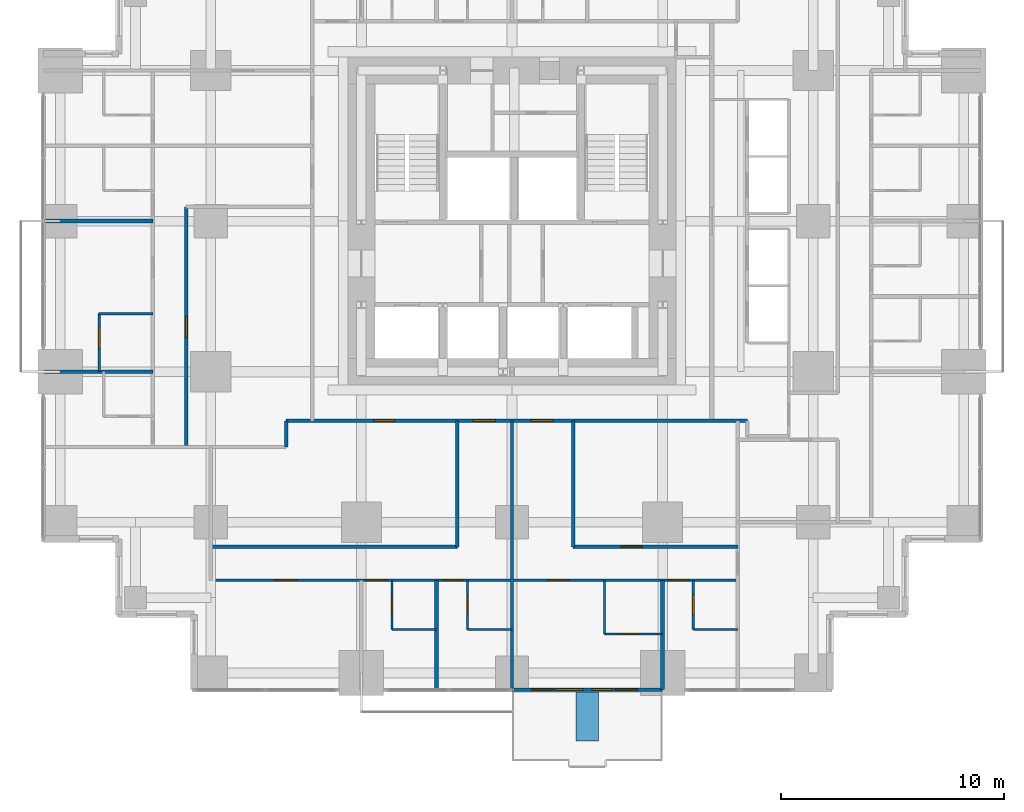
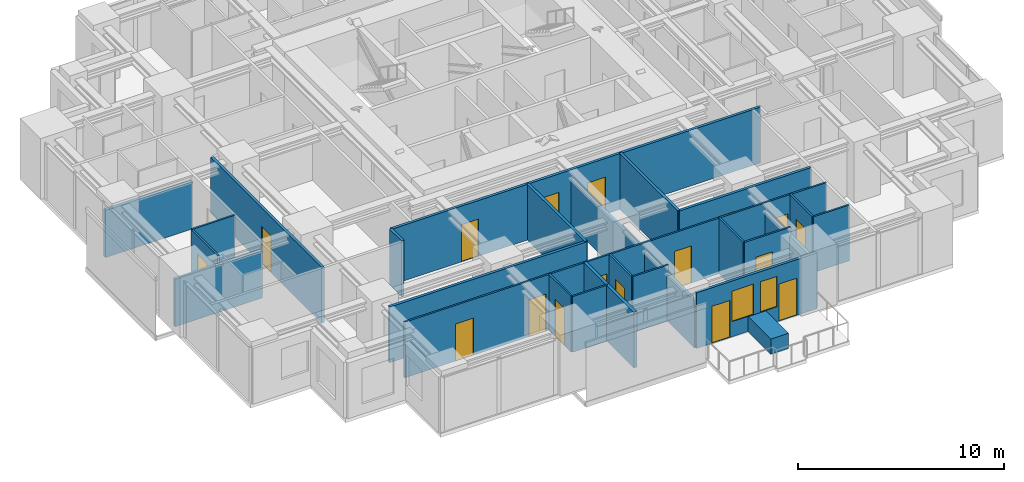
# One storey, part 7 of 12: 25 walls, 17 doors, 2 windows, 19 openings.
"""IFC4 building model written with IfcOpenShell, lengths in metres."""

from ifc_helpers import new_model, si_unit, direction, frame, frame_2d, origin, place, context, subcontext, project, spatial, rectangle, extrude, material, layer, layer_set, type_object, element, fill, save


model = new_model("IFC4")

# Units and contexts
model_context = context("Model", 3, precision=1e-05, world=origin(), true_north=direction((0.0, 1.0)))
body_context = subcontext(model_context, "Body", "Model", "MODEL_VIEW")
ifc_project = project(units=[si_unit("LENGTHUNIT", "METRE"), si_unit("AREAUNIT", "SQUARE_METRE"), si_unit("VOLUMEUNIT", "CUBIC_METRE"), si_unit("PLANEANGLEUNIT", "RADIAN"), si_unit("MASSUNIT", "GRAM", prefix="KILO")], contexts=[model_context])

# Site, building, storey
site_placement = place(None, origin())
site = spatial("IfcSite", under=ifc_project, at=site_placement, CompositionType="ELEMENT")
building_placement = place(site_placement, origin())
building = spatial("IfcBuilding", under=site, at=building_placement, Name="Nyansa Garden Tower", CompositionType="ELEMENT")
storey_placement = place(building_placement, frame((0.0, 0.0, 134.10009765625)))
storey = spatial("IfcBuildingStorey", under=building, at=storey_placement, Name="L36", CompositionType="ELEMENT", Elevation=134.10009765625)

# Walls
ifc_material_1 = material(Name="Dense blockwork, plastered both sides, 55 dB", Category="masonry")
ifc_layer_1 = layer(ifc_material_1, 0.175048828125)
ifc_layer_set_1 = layer_set([ifc_layer_1], Name="Acoustic party wall PW175")
wall_type_1 = type_object("IfcWallType", Name="Acoustic party wall PW175", PredefinedType="PARTITIONING", material=ifc_layer_set_1)
for number, where, z_axis, x_axis, name in (
    (1, (-0.73388671875, 13.5, 0.0), (0.0, 0.0, 1.0), (1.0, 0.0, 0.0), "Party wall"),
    (2, (-0.73388671875, 20.25, 0.0), (0.0, 0.0, 1.0), (1.0, 0.0, 0.0), "Party wall"),
):
    element("IfcWall", number, at=place(storey_placement, frame(where, z_axis=z_axis, x_axis=x_axis)), inside=storey, type_object=wall_type_1, Name=name, PredefinedType="PARTITIONING", context=body_context, shape_type="SweptSolid", body=[
        extrude(rectangle(XDim=4.8837890625, YDim=0.175048828125, at=frame_2d((2.44189453125, 0.0))), origin(), (0.0, 0.0, 1.0), 2.802001953125),
    ])
wall_1_placement = place(storey_placement, frame((16.875, -0.73388671875, 0.0), z_axis=(0.0, 0.0, 1.0), x_axis=(0.0, 1.0, 0.0)))
element("IfcWall", 3, at=wall_1_placement, inside=storey, type_object=wall_type_1, Name="Party wall", PredefinedType="PARTITIONING", context=body_context, shape_type="SweptSolid", body=[
    extrude(rectangle(XDim=4.8837890625, YDim=0.175048828125, at=frame_2d((2.44189453125, 0.0))), origin(), (0.0, 0.0, 1.0), 3.2998046875),
])
wall_2_placement = place(storey_placement, frame((27.0, -0.73388671875, 0.0), z_axis=(0.0, 0.0, 1.0), x_axis=(0.0, 1.0, 0.0)))
element("IfcWall", 4, at=wall_2_placement, inside=storey, type_object=wall_type_1, Name="Party wall", PredefinedType="PARTITIONING", context=body_context, shape_type="SweptSolid", body=[
    extrude(rectangle(XDim=4.8837890625, YDim=0.175048828125, at=frame_2d((2.44189453125, 0.0))), origin(), (0.0, 0.0, 1.0), 2.802001953125),
])

# Wall, openings, doors, windows
ifc_material_2 = material(Name="Black aluminium framed glazed screen", Category="aluminium")
ifc_layer_2 = layer(ifc_material_2, 0.14990234375)
ifc_layer_set_2 = layer_set([ifc_layer_2], Name="Balcony screen wall BW150")
wall_type_2 = type_object("IfcWallType", Name="Balcony screen wall BW150", PredefinedType="SOLIDWALL", material=ifc_layer_set_2)
wall_3_placement = place(storey_placement, frame((27.0, -0.75, 0.0), z_axis=(0.0, 0.0, 1.0), x_axis=(-1.0, 0.0, 0.0)))
wall_3 = element("IfcWall", 5, at=wall_3_placement, inside=storey, type_object=wall_type_2, Name="Glazed screen wall L36 S", PredefinedType="SOLIDWALL", context=body_context, shape_type="SweptSolid", body=[
    extrude(rectangle(XDim=6.75, YDim=0.14990234375, at=frame_2d((3.375, 0.0))), origin(), (0.0, 0.0, 1.0), 3.2998046875),
])
opening_1_placement = place(wall_3_placement, frame((1.129150390625, 0.0, 0.0)))
opening_1 = element("IfcOpeningElement", 6, at=opening_1_placement, cuts=wall_3, Name="Opening D20", PredefinedType="OPENING", context=body_context, shape_type="SweptSolid", body=[
    extrude(rectangle(XDim=1.0, YDim=2.199951171875, at=frame_2d((0.5, 1.10009765625))), frame((0.0, 0.0849609375, 0.0), z_axis=(0.0, -1.0, 0.0), x_axis=(1.0, 0.0, 0.0)), (0.0, 0.0, 1.0), 0.169921875),
])
opening_2_placement = place(wall_3_placement, frame((2.25830078125, 0.0, 0.89990234375)))
opening_2 = element("IfcOpeningElement", 7, at=opening_2_placement, cuts=wall_3, Name="Opening W7", PredefinedType="OPENING", context=body_context, shape_type="SweptSolid", body=[
    extrude(rectangle(XDim=0.89990234375, YDim=1.800048828125, at=frame_2d((0.449951171875, 0.89990234375))), frame((0.0, 0.0849609375, 0.0), z_axis=(0.0, -1.0, 0.0), x_axis=(1.0, 0.0, 0.0)), (0.0, 0.0, 1.0), 0.169921875),
])
opening_3_placement = place(wall_3_placement, frame((4.887451171875, 0.0, 0.0)))
opening_3 = element("IfcOpeningElement", 8, at=opening_3_placement, cuts=wall_3, Name="Opening D20", PredefinedType="OPENING", context=body_context, shape_type="SweptSolid", body=[
    extrude(rectangle(XDim=1.0, YDim=2.199951171875, at=frame_2d((0.5, 1.10009765625))), frame((0.0, 0.0849609375, 0.0), z_axis=(0.0, -1.0, 0.0), x_axis=(1.0, 0.0, 0.0)), (0.0, 0.0, 1.0), 0.169921875),
])
opening_4_placement = place(wall_3_placement, frame((3.574951171875, 0.0, 0.89990234375)))
opening_4 = element("IfcOpeningElement", 9, at=opening_4_placement, cuts=wall_3, Name="Opening W6", PredefinedType="OPENING", context=body_context, shape_type="SweptSolid", body=[
    extrude(rectangle(XDim=1.199951171875, YDim=1.800048828125, at=frame_2d((0.60009765625, 0.89990234375))), frame((0.0, 0.0849609375, 0.0), z_axis=(0.0, -1.0, 0.0), x_axis=(1.0, 0.0, 0.0)), (0.0, 0.0, 1.0), 0.169921875),
])
ifc_material_3 = material(Name="Black aluminium framed glazed door", Category="aluminium")
door_type_1 = type_object("IfcDoorType", Name="Balcony door D20 1000x2200", OperationType="NOTDEFINED", PredefinedType="DOOR", material=ifc_material_3)
door_1_placement = place(opening_1_placement, origin())
door_1 = element("IfcDoor", 10, at=door_1_placement, inside=storey, type_object=door_type_1, Name="Balcony door L36", OperationType="SINGLE_SWING_LEFT", OverallHeight=2.199951171875, OverallWidth=1.0, PredefinedType="DOOR", context=body_context, shape_type="SweptSolid", body=[
    extrude(rectangle(XDim=1.0, YDim=2.199951171875, at=frame_2d((0.5, 1.10009765625))), frame((0.0, 0.02490234375, 0.0), z_axis=(0.0, -1.0, 0.0), x_axis=(1.0, 0.0, 0.0)), (0.0, 0.0, 1.0), 0.050048828125),
])
fill(opening_1, door_1)
door_2_placement = place(opening_3_placement, origin())
door_2 = element("IfcDoor", 11, at=door_2_placement, inside=storey, type_object=door_type_1, Name="Balcony door L36", OperationType="SINGLE_SWING_RIGHT", OverallHeight=2.199951171875, OverallWidth=1.0, PredefinedType="DOOR", context=body_context, shape_type="SweptSolid", body=[
    extrude(rectangle(XDim=1.0, YDim=2.199951171875, at=frame_2d((0.5, 1.10009765625))), frame((0.0, 0.02490234375, 0.0), z_axis=(0.0, -1.0, 0.0), x_axis=(1.0, 0.0, 0.0)), (0.0, 0.0, 1.0), 0.050048828125),
])
fill(opening_3, door_2)
ifc_material_4 = material(Name="Black aluminium frame, dark tinted double glazing", Category="aluminium")
window_type_1 = type_object("IfcWindowType", Name="Balcony window W6 1200x1800", PartitioningType="SINGLE_PANEL", PredefinedType="WINDOW", material=ifc_material_4)
window_1_placement = place(opening_4_placement, origin())
window_1 = element("IfcWindow", 12, at=window_1_placement, inside=storey, type_object=window_type_1, Name="Window L36", OverallHeight=1.800048828125, OverallWidth=1.199951171875, PartitioningType="SINGLE_PANEL", PredefinedType="WINDOW", context=body_context, shape_type="SweptSolid", body=[
    extrude(rectangle(XDim=1.199951171875, YDim=1.800048828125, at=frame_2d((0.60009765625, 0.89990234375))), frame((0.0, 0.030029296875, 0.0), z_axis=(0.0, -1.0, 0.0), x_axis=(1.0, 0.0, 0.0)), (0.0, 0.0, 1.0), 0.06005859375),
])
fill(opening_4, window_1)
ifc_material_5 = material(Name="Black aluminium frame, dark tinted double glazing", Category="aluminium")
window_type_2 = type_object("IfcWindowType", Name="Balcony window W7 900x1800", PartitioningType="SINGLE_PANEL", PredefinedType="WINDOW", material=ifc_material_5)
window_2_placement = place(opening_2_placement, origin())
window_2 = element("IfcWindow", 13, at=window_2_placement, inside=storey, type_object=window_type_2, Name="Window L36", OverallHeight=1.800048828125, OverallWidth=0.89990234375, PartitioningType="SINGLE_PANEL", PredefinedType="WINDOW", context=body_context, shape_type="SweptSolid", body=[
    extrude(rectangle(XDim=0.89990234375, YDim=1.800048828125, at=frame_2d((0.449951171875, 0.89990234375))), frame((0.0, 0.030029296875, 0.0), z_axis=(0.0, -1.0, 0.0), x_axis=(1.0, 0.0, 0.0)), (0.0, 0.0, 1.0), 0.06005859375),
])
fill(opening_2, window_2)

# Wall, opening, door
ifc_material_6 = material(Name="Blockwork, plastered both sides", Category="masonry")
ifc_layer_3 = layer(ifc_material_6, 0.14990234375)
ifc_layer_set_3 = layer_set([ifc_layer_3], Name="Partition PW150")
wall_type_3 = type_object("IfcWallType", Name="Partition PW150", PredefinedType="PARTITIONING", material=ifc_layer_set_3)
wall_4_placement = place(storey_placement, frame((5.64990234375, 10.125, 0.0), z_axis=(0.0, 0.0, 1.0), x_axis=(0.0, 1.0, 0.0)))
wall_4 = element("IfcWall", 14, at=wall_4_placement, inside=storey, type_object=wall_type_3, Name="Partition", PredefinedType="PARTITIONING", context=body_context, shape_type="SweptSolid", body=[
    extrude(rectangle(XDim=10.762451171875, YDim=0.14990234375, at=frame_2d((5.38134765625, 0.0))), origin(), (0.0, 0.0, 1.0), 3.2998046875),
])
opening_5_placement = place(wall_4_placement, frame((4.89990234375, 0.0, 0.0)))
opening_5 = element("IfcOpeningElement", 15, at=opening_5_placement, cuts=wall_4, Name="Opening D01", PredefinedType="OPENING", context=body_context, shape_type="SweptSolid", body=[
    extrude(rectangle(XDim=0.949951171875, YDim=2.199951171875, at=frame_2d((0.47509765625, 1.10009765625))), frame((0.0, 0.0849609375, 0.0), z_axis=(0.0, -1.0, 0.0), x_axis=(1.0, 0.0, 0.0)), (0.0, 0.0, 1.0), 0.169921875),
])
ifc_material_7 = material(Name="Timber flush door, 30 minute fire resisting", Category="wood")
door_type_2 = type_object("IfcDoorType", Name="Bedroom door D01 950x2200", OperationType="SINGLE_SWING_LEFT", PredefinedType="DOOR", material=ifc_material_7)
door_3_placement = place(opening_5_placement, origin())
door_3 = element("IfcDoor", 16, at=door_3_placement, inside=storey, type_object=door_type_2, Name="Door L36-065", OperationType="SINGLE_SWING_LEFT", OverallHeight=2.199951171875, OverallWidth=0.949951171875, PredefinedType="DOOR", context=body_context, shape_type="SweptSolid", body=[
    extrude(rectangle(XDim=0.949951171875, YDim=2.199951171875, at=frame_2d((0.47509765625, 1.10009765625))), frame((0.0, 0.02490234375, 0.0), z_axis=(0.0, -1.0, 0.0), x_axis=(1.0, 0.0, 0.0)), (0.0, 0.0, 1.0), 0.050048828125),
])
fill(opening_5, door_3)

# Walls
wall_5_placement = place(storey_placement, frame((6.75, 5.64990234375, 0.0), z_axis=(0.0, 0.0, 1.0), x_axis=(1.0, 0.0, 0.0)))
element("IfcWall", 17, at=wall_5_placement, inside=storey, type_object=wall_type_3, Name="Partition", PredefinedType="PARTITIONING", context=body_context, shape_type="SweptSolid", body=[
    extrude(rectangle(XDim=11.050048828125, YDim=0.14990234375, at=frame_2d((5.52490234375, 0.0))), origin(), (0.0, 0.0, 1.0), 3.2998046875),
])
wall_6_placement = place(storey_placement, frame((10.125, 10.125, 0.0), z_axis=(0.0, 0.0, 1.0), x_axis=(0.0, 1.0, 0.0)))
element("IfcWall", 18, at=wall_6_placement, inside=storey, type_object=wall_type_3, Name="Partition", PredefinedType="PARTITIONING", context=body_context, shape_type="SweptSolid", body=[
    extrude(rectangle(XDim=1.175048828125, YDim=0.14990234375, at=frame_2d((0.58740234375, 0.0))), origin(), (0.0, 0.0, 1.0), 3.2998046875),
])

# Wall, openings, doors
wall_7_placement = place(storey_placement, frame((10.125, 11.300048828125, 0.0), z_axis=(0.0, 0.0, 1.0), x_axis=(1.0, 0.0, 0.0)))
wall_7 = element("IfcWall", 19, at=wall_7_placement, inside=storey, type_object=wall_type_3, Name="Partition", PredefinedType="PARTITIONING", context=body_context, shape_type="SweptSolid", body=[
    extrude(rectangle(XDim=20.675048828125, YDim=0.14990234375, at=frame_2d((10.33740234375, 0.0))), origin(), (0.0, 0.0, 1.0), 3.2998046875),
])
opening_6_placement = place(wall_7_placement, frame((8.375, 0.0, 0.0)))
opening_6 = element("IfcOpeningElement", 20, at=opening_6_placement, cuts=wall_7, Name="Opening D03", PredefinedType="OPENING", context=body_context, shape_type="SweptSolid", body=[
    extrude(rectangle(XDim=1.0, YDim=2.199951171875, at=frame_2d((0.5, 1.10009765625))), frame((0.0, 0.0849609375, 0.0), z_axis=(0.0, -1.0, 0.0), x_axis=(1.0, 0.0, 0.0)), (0.0, 0.0, 1.0), 0.169921875),
])
opening_7_placement = place(wall_7_placement, frame((10.97509765625, 0.0, 0.0)))
opening_7 = element("IfcOpeningElement", 21, at=opening_7_placement, cuts=wall_7, Name="Opening D03", PredefinedType="OPENING", context=body_context, shape_type="SweptSolid", body=[
    extrude(rectangle(XDim=1.0, YDim=2.199951171875, at=frame_2d((0.5, 1.10009765625))), frame((0.0, 0.0849609375, 0.0), z_axis=(0.0, -1.0, 0.0), x_axis=(1.0, 0.0, 0.0)), (0.0, 0.0, 1.0), 0.169921875),
])
opening_8_placement = place(wall_7_placement, frame((3.925048828125, 0.0, 0.0)))
opening_8 = element("IfcOpeningElement", 22, at=opening_8_placement, cuts=wall_7, Name="Opening D01", PredefinedType="OPENING", context=body_context, shape_type="SweptSolid", body=[
    extrude(rectangle(XDim=0.949951171875, YDim=2.199951171875, at=frame_2d((0.47509765625, 1.10009765625))), frame((0.0, 0.0849609375, 0.0), z_axis=(0.0, -1.0, 0.0), x_axis=(1.0, 0.0, 0.0)), (0.0, 0.0, 1.0), 0.169921875),
])
door_4_placement = place(opening_8_placement, origin())
door_4 = element("IfcDoor", 23, at=door_4_placement, inside=storey, type_object=door_type_2, Name="Door L36-030", OperationType="SINGLE_SWING_LEFT", OverallHeight=2.199951171875, OverallWidth=0.949951171875, PredefinedType="DOOR", context=body_context, shape_type="SweptSolid", body=[
    extrude(rectangle(XDim=0.949951171875, YDim=2.199951171875, at=frame_2d((0.47509765625, 1.10009765625))), frame((0.0, 0.02490234375, 0.0), z_axis=(0.0, -1.0, 0.0), x_axis=(1.0, 0.0, 0.0)), (0.0, 0.0, 1.0), 0.050048828125),
])
fill(opening_8, door_4)
ifc_material_8 = material(Name="Timber flush door, 60 minute fire resisting", Category="wood")
door_type_3 = type_object("IfcDoorType", Name="Cluster entrance door D03 1000x2200", OperationType="SINGLE_SWING_LEFT", PredefinedType="DOOR", material=ifc_material_8)
door_5_placement = place(opening_6_placement, origin())
door_5 = element("IfcDoor", 24, at=door_5_placement, inside=storey, type_object=door_type_3, Name="Door L36-024", OperationType="SINGLE_SWING_LEFT", OverallHeight=2.199951171875, OverallWidth=1.0, PredefinedType="DOOR", context=body_context, shape_type="SweptSolid", body=[
    extrude(rectangle(XDim=1.0, YDim=2.199951171875, at=frame_2d((0.5, 1.10009765625))), frame((0.0, 0.02490234375, 0.0), z_axis=(0.0, -1.0, 0.0), x_axis=(1.0, 0.0, 0.0)), (0.0, 0.0, 1.0), 0.050048828125),
])
fill(opening_6, door_5)
door_6_placement = place(opening_7_placement, origin())
door_6 = element("IfcDoor", 25, at=door_6_placement, inside=storey, type_object=door_type_3, Name="Door L36-029", OperationType="SINGLE_SWING_LEFT", OverallHeight=2.199951171875, OverallWidth=1.0, PredefinedType="DOOR", context=body_context, shape_type="SweptSolid", body=[
    extrude(rectangle(XDim=1.0, YDim=2.199951171875, at=frame_2d((0.5, 1.10009765625))), frame((0.0, 0.02490234375, 0.0), z_axis=(0.0, -1.0, 0.0), x_axis=(1.0, 0.0, 0.0)), (0.0, 0.0, 1.0), 0.050048828125),
])
fill(opening_7, door_6)

# Walls
wall_8_placement = place(storey_placement, frame((17.800048828125, 5.64990234375, 0.0), z_axis=(0.0, 0.0, 1.0), x_axis=(0.0, 1.0, 0.0)))
element("IfcWall", 26, at=wall_8_placement, inside=storey, type_object=wall_type_3, Name="Partition", PredefinedType="PARTITIONING", context=body_context, shape_type="SweptSolid", body=[
    extrude(rectangle(XDim=5.650146484375, YDim=0.14990234375, at=frame_2d((2.8251953125, 0.0))), origin(), (0.0, 0.0, 1.0), 3.2998046875),
])
wall_9_placement = place(storey_placement, frame((20.25, -0.73388671875, 0.0), z_axis=(0.0, 0.0, 1.0), x_axis=(0.0, 1.0, 0.0)))
element("IfcWall", 27, at=wall_9_placement, inside=storey, type_object=wall_type_3, Name="Partition", PredefinedType="PARTITIONING", context=body_context, shape_type="SweptSolid", body=[
    extrude(rectangle(XDim=12.033935546875, YDim=0.14990234375, at=frame_2d((6.01708984375, 0.0))), origin(), (0.0, 0.0, 1.0), 2.802001953125),
])

# Wall, opening, door
wall_10_placement = place(storey_placement, frame((22.987548828125, 5.64990234375, 0.0), z_axis=(0.0, 0.0, 1.0), x_axis=(1.0, 0.0, 0.0)))
wall_10 = element("IfcWall", 28, at=wall_10_placement, inside=storey, type_object=wall_type_3, Name="Partition", PredefinedType="PARTITIONING", context=body_context, shape_type="SweptSolid", body=[
    extrude(rectangle(XDim=7.387451171875, YDim=0.14990234375, at=frame_2d((3.69384765625, 0.0))), origin(), (0.0, 0.0, 1.0), 3.2998046875),
])
opening_9_placement = place(wall_10_placement, frame((2.14990234375, 0.0, 0.0)))
opening_9 = element("IfcOpeningElement", 29, at=opening_9_placement, cuts=wall_10, Name="Opening D01", PredefinedType="OPENING", context=body_context, shape_type="SweptSolid", body=[
    extrude(rectangle(XDim=0.949951171875, YDim=2.199951171875, at=frame_2d((0.47509765625, 1.10009765625))), frame((0.0, 0.0849609375, 0.0), z_axis=(0.0, -1.0, 0.0), x_axis=(1.0, 0.0, 0.0)), (0.0, 0.0, 1.0), 0.169921875),
])
door_7_placement = place(opening_9_placement, origin())
door_7 = element("IfcDoor", 30, at=door_7_placement, inside=storey, type_object=door_type_2, Name="Door L36-031", OperationType="SINGLE_SWING_LEFT", OverallHeight=2.199951171875, OverallWidth=0.949951171875, PredefinedType="DOOR", context=body_context, shape_type="SweptSolid", body=[
    extrude(rectangle(XDim=0.949951171875, YDim=2.199951171875, at=frame_2d((0.47509765625, 1.10009765625))), frame((0.0, 0.02490234375, 0.0), z_axis=(0.0, -1.0, 0.0), x_axis=(1.0, 0.0, 0.0)), (0.0, 0.0, 1.0), 0.050048828125),
])
fill(opening_9, door_7)

# Walls
wall_11_placement = place(storey_placement, frame((22.988037109375, 5.64990234375, 0.0), z_axis=(0.0, 0.0, 1.0), x_axis=(0.0, 1.0, 0.0)))
element("IfcWall", 31, at=wall_11_placement, inside=storey, type_object=wall_type_3, Name="Partition", PredefinedType="PARTITIONING", context=body_context, shape_type="SweptSolid", body=[
    extrude(rectangle(XDim=5.650146484375, YDim=0.14990234375, at=frame_2d((2.8251953125, 0.0))), origin(), (0.0, 0.0, 1.0), 3.2998046875),
])
ifc_material_9 = material(Name="Concrete C40/50 planter, waterproofed", Category="concrete")
ifc_layer_4 = layer(ifc_material_9, 1.0)
ifc_layer_set_4 = layer_set([ifc_layer_4], Name="Tree planter TP1")
wall_type_4 = type_object("IfcWallType", Name="Tree planter TP1", PredefinedType="USERDEFINED", material=ifc_layer_set_4)
wall_12_placement = place(storey_placement, frame((23.625, -0.85009765625, 0.0), z_axis=(0.0, 0.0, 1.0), x_axis=(0.0, -1.0, 0.0)))
element("IfcWall", 32, at=wall_12_placement, inside=storey, type_object=wall_type_4, Name="Tree planter L36", ObjectType="TREE PLANTER", PredefinedType="USERDEFINED", context=body_context, shape_type="SweptSolid", body=[
    extrude(rectangle(XDim=2.199951171875, YDim=1.0, at=frame_2d((1.10009765625, 0.0))), origin(), (0.0, 0.0, 1.0), 0.89990234375),
])

# Wall, opening, door
ifc_material_10 = material(Name="Moisture resistant board on steel studs, tiled", Category="steel")
ifc_layer_5 = layer(ifc_material_10, 0.10009765625)
ifc_layer_set_5 = layer_set([ifc_layer_5], Name="Wet wall PW100")
wall_type_5 = type_object("IfcWallType", Name="Wet wall PW100", PredefinedType="PARTITIONING", material=ifc_layer_set_5)
wall_13_placement = place(storey_placement, frame((1.75, 13.5, 0.0), z_axis=(0.0, 0.0, 1.0), x_axis=(0.0, 1.0, 0.0)))
wall_13 = element("IfcWall", 33, at=wall_13_placement, inside=storey, type_object=wall_type_5, Name="Wet wall", PredefinedType="PARTITIONING", context=body_context, shape_type="SweptSolid", body=[
    extrude(rectangle(XDim=2.60009765625, YDim=0.10009765625, at=frame_2d((1.300048828125, 0.0))), origin(), (0.0, 0.0, 1.0), 3.2998046875),
])
opening_10_placement = place(wall_13_placement, frame((1.050048828125, 0.0, 0.0)))
opening_10 = element("IfcOpeningElement", 34, at=opening_10_placement, cuts=wall_13, Name="Opening D02", PredefinedType="OPENING", context=body_context, shape_type="SweptSolid", body=[
    extrude(rectangle(XDim=0.89990234375, YDim=2.199951171875, at=frame_2d((0.449951171875, 1.10009765625))), frame((0.0, 0.06005859375, 0.0), z_axis=(0.0, -1.0, 0.0), x_axis=(1.0, 0.0, 0.0)), (0.0, 0.0, 1.0), 0.1201171875),
])
ifc_material_11 = material(Name="Timber flush door", Category="wood")
door_type_4 = type_object("IfcDoorType", Name="En-suite door D02 900x2200", OperationType="SINGLE_SWING_RIGHT", PredefinedType="DOOR", material=ifc_material_11)
door_8_placement = place(opening_10_placement, origin())
door_8 = element("IfcDoor", 35, at=door_8_placement, inside=storey, type_object=door_type_4, Name="Door L36-059", OperationType="SINGLE_SWING_RIGHT", OverallHeight=2.199951171875, OverallWidth=0.89990234375, PredefinedType="DOOR", context=body_context, shape_type="SweptSolid", body=[
    extrude(rectangle(XDim=0.89990234375, YDim=2.199951171875, at=frame_2d((0.449951171875, 1.10009765625))), frame((0.0, 0.02490234375, 0.0), z_axis=(0.0, -1.0, 0.0), x_axis=(1.0, 0.0, 0.0)), (0.0, 0.0, 1.0), 0.050048828125),
])
fill(opening_10, door_8)

# Wall
wall_14_placement = place(storey_placement, frame((1.75, 16.10009765625, 0.0), z_axis=(0.0, 0.0, 1.0), x_axis=(1.0, 0.0, 0.0)))
element("IfcWall", 36, at=wall_14_placement, inside=storey, type_object=wall_type_5, Name="Wet wall", PredefinedType="PARTITIONING", context=body_context, shape_type="SweptSolid", body=[
    extrude(rectangle(XDim=2.39990234375, YDim=0.10009765625, at=frame_2d((1.199951171875, 0.0))), origin(), (0.0, 0.0, 1.0), 3.2998046875),
])

# Wall, openings, doors
wall_15_placement = place(storey_placement, frame((6.75, 4.14990234375, 0.0), z_axis=(0.0, 0.0, 1.0), x_axis=(1.0, 0.0, 0.0)))
wall_15 = element("IfcWall", 37, at=wall_15_placement, inside=storey, type_object=wall_type_5, Name="Wet wall", PredefinedType="PARTITIONING", context=body_context, shape_type="SweptSolid", body=[
    extrude(rectangle(XDim=23.625, YDim=0.10009765625, at=frame_2d((11.8125, 0.0))), origin(), (0.0, 0.0, 1.0), 3.2998046875),
])
opening_11_placement = place(wall_15_placement, frame((2.85009765625, 0.0, 0.0)))
opening_11 = element("IfcOpeningElement", 38, at=opening_11_placement, cuts=wall_15, Name="Opening D03", PredefinedType="OPENING", context=body_context, shape_type="SweptSolid", body=[
    extrude(rectangle(XDim=1.0, YDim=2.199951171875, at=frame_2d((0.5, 1.10009765625))), frame((0.0, 0.06005859375, 0.0), z_axis=(0.0, -1.0, 0.0), x_axis=(1.0, 0.0, 0.0)), (0.0, 0.0, 1.0), 0.1201171875),
])
opening_12_placement = place(wall_15_placement, frame((6.949951171875, 0.0, 0.0)))
opening_12 = element("IfcOpeningElement", 39, at=opening_12_placement, cuts=wall_15, Name="Opening D01", PredefinedType="OPENING", context=body_context, shape_type="SweptSolid", body=[
    extrude(rectangle(XDim=0.949951171875, YDim=2.199951171875, at=frame_2d((0.47509765625, 1.10009765625))), frame((0.0, 0.06005859375, 0.0), z_axis=(0.0, -1.0, 0.0), x_axis=(1.0, 0.0, 0.0)), (0.0, 0.0, 1.0), 0.1201171875),
])
opening_13_placement = place(wall_15_placement, frame((10.375, 0.0, 0.0)))
opening_13 = element("IfcOpeningElement", 40, at=opening_13_placement, cuts=wall_15, Name="Opening D01", PredefinedType="OPENING", context=body_context, shape_type="SweptSolid", body=[
    extrude(rectangle(XDim=0.949951171875, YDim=2.199951171875, at=frame_2d((0.47509765625, 1.10009765625))), frame((0.0, 0.06005859375, 0.0), z_axis=(0.0, -1.0, 0.0), x_axis=(1.0, 0.0, 0.0)), (0.0, 0.0, 1.0), 0.1201171875),
])
opening_14_placement = place(wall_15_placement, frame((15.10009765625, 0.0, 0.0)))
opening_14 = element("IfcOpeningElement", 41, at=opening_14_placement, cuts=wall_15, Name="Opening D14", PredefinedType="OPENING", context=body_context, shape_type="SweptSolid", body=[
    extrude(rectangle(XDim=0.949951171875, YDim=2.199951171875, at=frame_2d((0.47509765625, 1.10009765625))), frame((0.0, 0.06005859375, 0.0), z_axis=(0.0, -1.0, 0.0), x_axis=(1.0, 0.0, 0.0)), (0.0, 0.0, 1.0), 0.1201171875),
])
opening_15_placement = place(wall_15_placement, frame((20.5, 0.0, 0.0)))
opening_15 = element("IfcOpeningElement", 42, at=opening_15_placement, cuts=wall_15, Name="Opening D14", PredefinedType="OPENING", context=body_context, shape_type="SweptSolid", body=[
    extrude(rectangle(XDim=0.949951171875, YDim=2.199951171875, at=frame_2d((0.47509765625, 1.10009765625))), frame((0.0, 0.06005859375, 0.0), z_axis=(0.0, -1.0, 0.0), x_axis=(1.0, 0.0, 0.0)), (0.0, 0.0, 1.0), 0.1201171875),
])
door_9_placement = place(opening_12_placement, origin())
door_9 = element("IfcDoor", 43, at=door_9_placement, inside=storey, type_object=door_type_2, Name="Door L36-020", OperationType="SINGLE_SWING_LEFT", OverallHeight=2.199951171875, OverallWidth=0.949951171875, PredefinedType="DOOR", context=body_context, shape_type="SweptSolid", body=[
    extrude(rectangle(XDim=0.949951171875, YDim=2.199951171875, at=frame_2d((0.47509765625, 1.10009765625))), frame((0.0, 0.02490234375, 0.0), z_axis=(0.0, -1.0, 0.0), x_axis=(1.0, 0.0, 0.0)), (0.0, 0.0, 1.0), 0.050048828125),
])
fill(opening_12, door_9)
door_10_placement = place(opening_13_placement, origin())
door_10 = element("IfcDoor", 44, at=door_10_placement, inside=storey, type_object=door_type_2, Name="Door L36-022", OperationType="SINGLE_SWING_LEFT", OverallHeight=2.199951171875, OverallWidth=0.949951171875, PredefinedType="DOOR", context=body_context, shape_type="SweptSolid", body=[
    extrude(rectangle(XDim=0.949951171875, YDim=2.199951171875, at=frame_2d((0.47509765625, 1.10009765625))), frame((0.0, 0.02490234375, 0.0), z_axis=(0.0, -1.0, 0.0), x_axis=(1.0, 0.0, 0.0)), (0.0, 0.0, 1.0), 0.050048828125),
])
fill(opening_13, door_10)
door_11_placement = place(opening_11_placement, origin())
door_11 = element("IfcDoor", 45, at=door_11_placement, inside=storey, type_object=door_type_3, Name="Door L36-019", OperationType="SINGLE_SWING_LEFT", OverallHeight=2.199951171875, OverallWidth=1.0, PredefinedType="DOOR", context=body_context, shape_type="SweptSolid", body=[
    extrude(rectangle(XDim=1.0, YDim=2.199951171875, at=frame_2d((0.5, 1.10009765625))), frame((0.0, 0.02490234375, 0.0), z_axis=(0.0, -1.0, 0.0), x_axis=(1.0, 0.0, 0.0)), (0.0, 0.0, 1.0), 0.050048828125),
])
fill(opening_11, door_11)
ifc_material_12 = material(Name="Timber flush door, 60 minute fire resisting, self-closing", Category="wood")
door_type_5 = type_object("IfcDoorType", Name="Studio entrance door D14 950x2200", OperationType="SINGLE_SWING_LEFT", PredefinedType="DOOR", material=ifc_material_12)
door_12_placement = place(opening_14_placement, origin())
door_12 = element("IfcDoor", 46, at=door_12_placement, inside=storey, type_object=door_type_5, Name="Door L36-025", OperationType="SINGLE_SWING_LEFT", OverallHeight=2.199951171875, OverallWidth=0.949951171875, PredefinedType="DOOR", context=body_context, shape_type="SweptSolid", body=[
    extrude(rectangle(XDim=0.949951171875, YDim=2.199951171875, at=frame_2d((0.47509765625, 1.10009765625))), frame((0.0, 0.02490234375, 0.0), z_axis=(0.0, -1.0, 0.0), x_axis=(1.0, 0.0, 0.0)), (0.0, 0.0, 1.0), 0.050048828125),
])
fill(opening_14, door_12)
door_13_placement = place(opening_15_placement, origin())
door_13 = element("IfcDoor", 47, at=door_13_placement, inside=storey, type_object=door_type_5, Name="Door L36-027", OperationType="SINGLE_SWING_LEFT", OverallHeight=2.199951171875, OverallWidth=0.949951171875, PredefinedType="DOOR", context=body_context, shape_type="SweptSolid", body=[
    extrude(rectangle(XDim=0.949951171875, YDim=2.199951171875, at=frame_2d((0.47509765625, 1.10009765625))), frame((0.0, 0.02490234375, 0.0), z_axis=(0.0, -1.0, 0.0), x_axis=(1.0, 0.0, 0.0)), (0.0, 0.0, 1.0), 0.050048828125),
])
fill(opening_15, door_13)

# Wall, opening, door
wall_16_placement = place(storey_placement, frame((14.875, 1.949951171875, 0.0), z_axis=(0.0, 0.0, 1.0), x_axis=(0.0, 1.0, 0.0)))
wall_16 = element("IfcWall", 48, at=wall_16_placement, inside=storey, type_object=wall_type_5, Name="Wet wall", PredefinedType="PARTITIONING", context=body_context, shape_type="SweptSolid", body=[
    extrude(rectangle(XDim=2.199951171875, YDim=0.10009765625, at=frame_2d((1.10009765625, 0.0))), origin(), (0.0, 0.0, 1.0), 3.2998046875),
])
opening_16_placement = place(wall_16_placement, frame((0.64990234375, 0.0, 0.0)))
opening_16 = element("IfcOpeningElement", 49, at=opening_16_placement, cuts=wall_16, Name="Opening D02", PredefinedType="OPENING", context=body_context, shape_type="SweptSolid", body=[
    extrude(rectangle(XDim=0.89990234375, YDim=2.199951171875, at=frame_2d((0.449951171875, 1.10009765625))), frame((0.0, 0.06005859375, 0.0), z_axis=(0.0, -1.0, 0.0), x_axis=(1.0, 0.0, 0.0)), (0.0, 0.0, 1.0), 0.1201171875),
])
door_14_placement = place(opening_16_placement, origin())
door_14 = element("IfcDoor", 50, at=door_14_placement, inside=storey, type_object=door_type_4, Name="Door L36-021", OperationType="SINGLE_SWING_RIGHT", OverallHeight=2.199951171875, OverallWidth=0.89990234375, PredefinedType="DOOR", context=body_context, shape_type="SweptSolid", body=[
    extrude(rectangle(XDim=0.89990234375, YDim=2.199951171875, at=frame_2d((0.449951171875, 1.10009765625))), frame((0.0, 0.02490234375, 0.0), z_axis=(0.0, -1.0, 0.0), x_axis=(1.0, 0.0, 0.0)), (0.0, 0.0, 1.0), 0.050048828125),
])
fill(opening_16, door_14)

# Wall
wall_17_placement = place(storey_placement, frame((14.875, 1.949951171875, 0.0), z_axis=(0.0, 0.0, 1.0), x_axis=(1.0, 0.0, 0.0)))
element("IfcWall", 51, at=wall_17_placement, inside=storey, type_object=wall_type_5, Name="Wet wall", PredefinedType="PARTITIONING", context=body_context, shape_type="SweptSolid", body=[
    extrude(rectangle(XDim=2.0, YDim=0.10009765625, at=frame_2d((1.0, 0.0))), origin(), (0.0, 0.0, 1.0), 3.2998046875),
])

# Wall, opening, door
wall_18_placement = place(storey_placement, frame((18.25, 1.949951171875, 0.0), z_axis=(0.0, 0.0, 1.0), x_axis=(0.0, 1.0, 0.0)))
wall_18 = element("IfcWall", 52, at=wall_18_placement, inside=storey, type_object=wall_type_5, Name="Wet wall", PredefinedType="PARTITIONING", context=body_context, shape_type="SweptSolid", body=[
    extrude(rectangle(XDim=2.199951171875, YDim=0.10009765625, at=frame_2d((1.10009765625, 0.0))), origin(), (0.0, 0.0, 1.0), 3.2998046875),
])
opening_17_placement = place(wall_18_placement, frame((0.64990234375, 0.0, 0.0)))
opening_17 = element("IfcOpeningElement", 53, at=opening_17_placement, cuts=wall_18, Name="Opening D02", PredefinedType="OPENING", context=body_context, shape_type="SweptSolid", body=[
    extrude(rectangle(XDim=0.89990234375, YDim=2.199951171875, at=frame_2d((0.449951171875, 1.10009765625))), frame((0.0, 0.06005859375, 0.0), z_axis=(0.0, -1.0, 0.0), x_axis=(1.0, 0.0, 0.0)), (0.0, 0.0, 1.0), 0.1201171875),
])
door_15_placement = place(opening_17_placement, origin())
door_15 = element("IfcDoor", 54, at=door_15_placement, inside=storey, type_object=door_type_4, Name="Door L36-023", OperationType="SINGLE_SWING_RIGHT", OverallHeight=2.199951171875, OverallWidth=0.89990234375, PredefinedType="DOOR", context=body_context, shape_type="SweptSolid", body=[
    extrude(rectangle(XDim=0.89990234375, YDim=2.199951171875, at=frame_2d((0.449951171875, 1.10009765625))), frame((0.0, 0.02490234375, 0.0), z_axis=(0.0, -1.0, 0.0), x_axis=(1.0, 0.0, 0.0)), (0.0, 0.0, 1.0), 0.050048828125),
])
fill(opening_17, door_15)

# Walls
wall_19_placement = place(storey_placement, frame((18.25, 1.949951171875, 0.0), z_axis=(0.0, 0.0, 1.0), x_axis=(1.0, 0.0, 0.0)))
element("IfcWall", 55, at=wall_19_placement, inside=storey, type_object=wall_type_5, Name="Wet wall", PredefinedType="PARTITIONING", context=body_context, shape_type="SweptSolid", body=[
    extrude(rectangle(XDim=2.0, YDim=0.10009765625, at=frame_2d((1.0, 0.0))), origin(), (0.0, 0.0, 1.0), 3.2998046875),
])
wall_20_placement = place(storey_placement, frame((24.39990234375, 1.75, 0.0), z_axis=(0.0, 0.0, 1.0), x_axis=(0.0, 1.0, 0.0)))
element("IfcWall", 56, at=wall_20_placement, inside=storey, type_object=wall_type_5, Name="Wet wall", PredefinedType="PARTITIONING", context=body_context, shape_type="SweptSolid", body=[
    extrude(rectangle(XDim=2.39990234375, YDim=0.10009765625, at=frame_2d((1.199951171875, 0.0))), origin(), (0.0, 0.0, 1.0), 3.2998046875),
])

# Wall, opening, door
wall_21_placement = place(storey_placement, frame((24.39990234375, 1.75, 0.0), z_axis=(0.0, 0.0, 1.0), x_axis=(1.0, 0.0, 0.0)))
wall_21 = element("IfcWall", 57, at=wall_21_placement, inside=storey, type_object=wall_type_5, Name="Wet wall", PredefinedType="PARTITIONING", context=body_context, shape_type="SweptSolid", body=[
    extrude(rectangle(XDim=2.60009765625, YDim=0.10009765625, at=frame_2d((1.300048828125, 0.0))), origin(), (0.0, 0.0, 1.0), 3.2998046875),
])
opening_18_placement = place(wall_21_placement, frame((0.64990234375, 0.0, 0.0)))
opening_18 = element("IfcOpeningElement", 58, at=opening_18_placement, cuts=wall_21, Name="Opening D02", PredefinedType="OPENING", context=body_context, shape_type="SweptSolid", body=[
    extrude(rectangle(XDim=0.89990234375, YDim=2.199951171875, at=frame_2d((0.449951171875, 1.10009765625))), frame((0.0, 0.06005859375, 0.0), z_axis=(0.0, -1.0, 0.0), x_axis=(1.0, 0.0, 0.0)), (0.0, 0.0, 1.0), 0.1201171875),
])
door_16_placement = place(opening_18_placement, origin())
door_16 = element("IfcDoor", 59, at=door_16_placement, inside=storey, type_object=door_type_4, Name="Door L36-026", OperationType="SINGLE_SWING_RIGHT", OverallHeight=2.199951171875, OverallWidth=0.89990234375, PredefinedType="DOOR", context=body_context, shape_type="SweptSolid", body=[
    extrude(rectangle(XDim=0.89990234375, YDim=2.199951171875, at=frame_2d((0.449951171875, 1.10009765625))), frame((0.0, 0.02490234375, 0.0), z_axis=(0.0, -1.0, 0.0), x_axis=(1.0, 0.0, 0.0)), (0.0, 0.0, 1.0), 0.050048828125),
])
fill(opening_18, door_16)

wall_22_placement = place(storey_placement, frame((28.375, 1.949951171875, 0.0), z_axis=(0.0, 0.0, 1.0), x_axis=(0.0, 1.0, 0.0)))
wall_22 = element("IfcWall", 60, at=wall_22_placement, inside=storey, type_object=wall_type_5, Name="Wet wall", PredefinedType="PARTITIONING", context=body_context, shape_type="SweptSolid", body=[
    extrude(rectangle(XDim=2.199951171875, YDim=0.10009765625, at=frame_2d((1.10009765625, 0.0))), origin(), (0.0, 0.0, 1.0), 3.2998046875),
])
opening_19_placement = place(wall_22_placement, frame((0.64990234375, 0.0, 0.0)))
opening_19 = element("IfcOpeningElement", 61, at=opening_19_placement, cuts=wall_22, Name="Opening D02", PredefinedType="OPENING", context=body_context, shape_type="SweptSolid", body=[
    extrude(rectangle(XDim=0.89990234375, YDim=2.199951171875, at=frame_2d((0.449951171875, 1.10009765625))), frame((0.0, 0.06005859375, 0.0), z_axis=(0.0, -1.0, 0.0), x_axis=(1.0, 0.0, 0.0)), (0.0, 0.0, 1.0), 0.1201171875),
])
door_17_placement = place(opening_19_placement, origin())
door_17 = element("IfcDoor", 62, at=door_17_placement, inside=storey, type_object=door_type_4, Name="Door L36-028", OperationType="SINGLE_SWING_RIGHT", OverallHeight=2.199951171875, OverallWidth=0.89990234375, PredefinedType="DOOR", context=body_context, shape_type="SweptSolid", body=[
    extrude(rectangle(XDim=0.89990234375, YDim=2.199951171875, at=frame_2d((0.449951171875, 1.10009765625))), frame((0.0, 0.02490234375, 0.0), z_axis=(0.0, -1.0, 0.0), x_axis=(1.0, 0.0, 0.0)), (0.0, 0.0, 1.0), 0.050048828125),
])
fill(opening_19, door_17)

# Wall
wall_23_placement = place(storey_placement, frame((28.375, 1.949951171875, 0.0), z_axis=(0.0, 0.0, 1.0), x_axis=(1.0, 0.0, 0.0)))
element("IfcWall", 63, at=wall_23_placement, inside=storey, type_object=wall_type_5, Name="Wet wall", PredefinedType="PARTITIONING", context=body_context, shape_type="SweptSolid", body=[
    extrude(rectangle(XDim=2.0, YDim=0.10009765625, at=frame_2d((1.0, 0.0))), origin(), (0.0, 0.0, 1.0), 3.2998046875),
])

save(model, "model.ifc")
